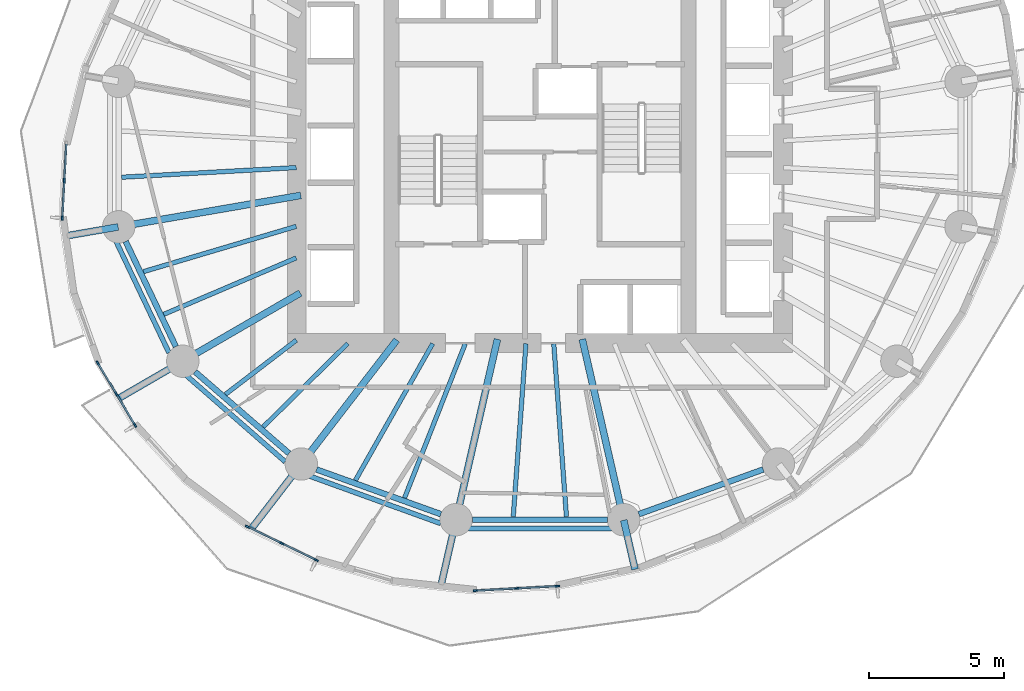
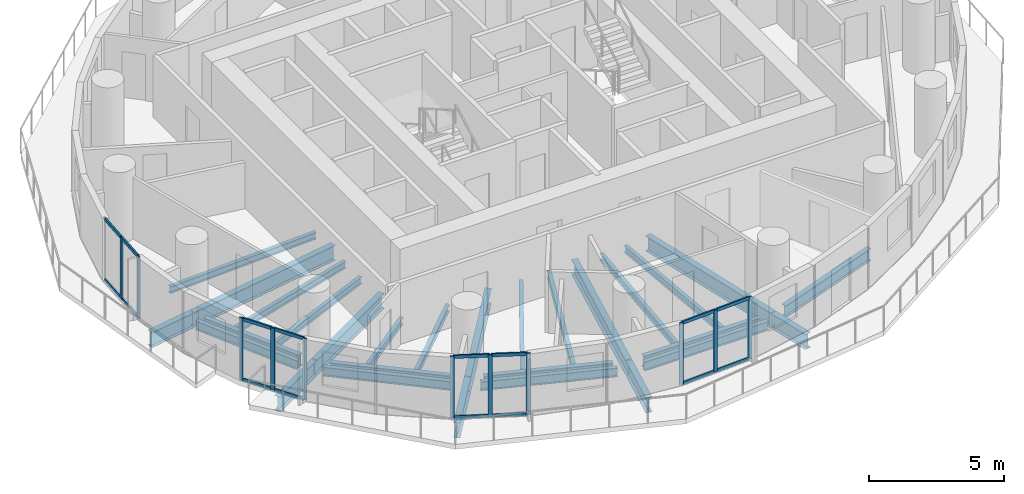
# One storey, part 2 of 15: 28 beams, 27 members, 4 elements without a shape of their own.
"""IFC4 building model written with IfcOpenShell, lengths in metres."""

from ifc_helpers import new_model, si_unit, direction, frame, origin, origin_2d, place, context, subcontext, project, spatial, rectangle, i_section, extrude, material, material_profile, profile_set, type_object, element, aggregate, save


model = new_model("IFC4")

# Units and contexts
model_context = context("Model", 3, precision=1e-05, world=origin(), true_north=direction((0.0, 1.0)))
body_context = subcontext(model_context, "Body", "Model", "MODEL_VIEW")
ifc_project = project(units=[si_unit("LENGTHUNIT", "METRE"), si_unit("AREAUNIT", "SQUARE_METRE"), si_unit("VOLUMEUNIT", "CUBIC_METRE"), si_unit("PLANEANGLEUNIT", "RADIAN"), si_unit("MASSUNIT", "GRAM", prefix="KILO")], contexts=[model_context])

# Site, building, storey
site_placement = place(None, origin())
site = spatial("IfcSite", under=ifc_project, at=site_placement, CompositionType="ELEMENT")
building_placement = place(site_placement, origin())
building = spatial("IfcBuilding", under=site, at=building_placement, Name="Veldorim Arch Residences", CompositionType="ELEMENT")
storey_placement = place(building_placement, frame((0.0, 0.0, 109.280029296875)))
storey = spatial("IfcBuildingStorey", under=building, at=storey_placement, Name="L32", CompositionType="ELEMENT", Elevation=109.280029296875)

# Beams
ifc_material_1 = material(Name="Steel S355", Category="steel")
ifc_material_profile_1 = material_profile(ifc_material_1, i_section(OverallWidth=0.2119140625, OverallDepth=0.54443359375, WebThickness=0.0126953125, FlangeThickness=0.021240234375, at=origin_2d()), Name="UB533x210x122")
ifc_profile_set_1 = profile_set([ifc_material_profile_1], Name="Steel S355")
beam_type_1 = type_object("IfcBeamType", Name="Structural Steel Beam UB533x210x122", PredefinedType="BEAM", material=ifc_profile_set_1)
beam_1_placement = place(storey_placement, frame((16.663818359375, 20.766357421875, -0.51220703125), z_axis=(0.430720154476, -0.902485539235, 0.0), x_axis=(0.902485539235, 0.430720154476, 0.0)))
element("IfcBeam", 1, at=beam_1_placement, inside=storey, type_object=beam_type_1, Name="L32 perimeter ring tie beam 09", PredefinedType="BEAM", context=body_context, shape_type="SweptSolid", body=[
    extrude(i_section(OverallWidth=0.2119140625, OverallDepth=0.54443359375, WebThickness=0.0126953125, FlangeThickness=0.021240234375, at=origin_2d()), origin(), (0.0, 0.0, 1.0), 4.312255859375),
])
beam_2_placement = place(storey_placement, frame((19.232666015625, 15.939697265625, -0.51220703125), z_axis=(0.755244952556, -0.655442645576, 0.0), x_axis=(0.655442645576, 0.755244952556, 0.0)))
element("IfcBeam", 2, at=beam_2_placement, inside=storey, type_object=beam_type_1, Name="L32 perimeter ring tie beam 10", PredefinedType="BEAM", context=body_context, shape_type="SweptSolid", body=[
    extrude(i_section(OverallWidth=0.2119140625, OverallDepth=0.54443359375, WebThickness=0.0126953125, FlangeThickness=0.021240234375, at=origin_2d()), origin(), (0.0, 0.0, 1.0), 4.608642578125),
])
beam_3_placement = place(storey_placement, frame((23.73095703125, 12.32275390625, -0.51220703125), z_axis=(0.941041944493, -0.338289903343, 0.0), x_axis=(0.338289903343, 0.941041944493, 0.0)))
element("IfcBeam", 3, at=beam_3_placement, inside=storey, type_object=beam_type_1, Name="L32 perimeter ring tie beam 11", PredefinedType="BEAM", context=body_context, shape_type="SweptSolid", body=[
    extrude(i_section(OverallWidth=0.2119140625, OverallDepth=0.54443359375, WebThickness=0.0126953125, FlangeThickness=0.021240234375, at=origin_2d()), origin(), (0.0, 0.0, 1.0), 4.890869140625),
])
beam_4_placement = place(storey_placement, frame((29.498046875, 10.465087890625, -0.51220703125), z_axis=(1.0, 0.0, 0.0), x_axis=(0.0, 1.0, 0.0)))
element("IfcBeam", 4, at=beam_4_placement, inside=storey, type_object=beam_type_1, Name="L32 perimeter ring tie beam 12", PredefinedType="BEAM", context=body_context, shape_type="SweptSolid", body=[
    extrude(i_section(OverallWidth=0.2119140625, OverallDepth=0.54443359375, WebThickness=0.0126953125, FlangeThickness=0.021240234375, at=origin_2d()), origin(), (0.0, 0.0, 1.0), 5.00390625),
])
beam_5_placement = place(storey_placement, frame((35.66650390625, 10.668212890625, -0.51220703125), z_axis=(0.941041944493, 0.338289903343, 0.0), x_axis=(-0.338289903343, 0.941041944493, 0.0)))
element("IfcBeam", 5, at=beam_5_placement, inside=storey, type_object=beam_type_1, Name="L32 perimeter ring tie beam 13", PredefinedType="BEAM", context=body_context, shape_type="SweptSolid", body=[
    extrude(i_section(OverallWidth=0.2119140625, OverallDepth=0.54443359375, WebThickness=0.0126953125, FlangeThickness=0.021240234375, at=origin_2d()), origin(), (0.0, 0.0, 1.0), 4.890869140625),
])
ifc_material_2 = material(Name="Steel S355", Category="steel")
ifc_material_profile_2 = material_profile(ifc_material_2, i_section(OverallWidth=0.25439453125, OverallDepth=0.6875, WebThickness=0.01318359375, FlangeThickness=0.02099609375, at=origin_2d()), Name="UB686x254x152")
ifc_profile_set_2 = profile_set([ifc_material_profile_2], Name="Steel S355")
beam_type_2 = type_object("IfcBeamType", Name="Structural Steel GIRDER UB686x254x152", PredefinedType="USERDEFINED", material=ifc_profile_set_2)
beam_6_placement = place(storey_placement, frame((23.147705078125, 22.4716796875, -0.583740234375), z_axis=(-0.985426622718, -0.17010106184, 0.0), x_axis=(0.17010106184, -0.985426622718, 0.0)))
element("IfcBeam", 6, at=beam_6_placement, inside=storey, type_object=beam_type_2, Name="L32 radial floor girder 09", ObjectType="GIRDER", PredefinedType="USERDEFINED", context=body_context, shape_type="SweptSolid", body=[
    extrude(i_section(OverallWidth=0.25439453125, OverallDepth=0.6875, WebThickness=0.01318359375, FlangeThickness=0.02099609375, at=origin_2d()), origin(), (0.0, 0.0, 1.0), 6.82177734375),
])
beam_7_placement = place(storey_placement, frame((16.3857421875, 21.304443359375, -0.583740234375), z_axis=(-0.985416355925, -0.170160528549, 0.0), x_axis=(0.170160528549, -0.985416355925, 0.0)))
element("IfcBeam", 7, at=beam_7_placement, inside=storey, type_object=beam_type_2, Name="L32 radial edge cantilever girder 09", ObjectType="GIRDER", PredefinedType="USERDEFINED", context=body_context, shape_type="SweptSolid", body=[
    extrude(i_section(OverallWidth=0.25439453125, OverallDepth=0.6875, WebThickness=0.01318359375, FlangeThickness=0.02099609375, at=origin_2d()), origin(), (0.0, 0.0, 1.0), 1.99853515625),
])
beam_8_placement = place(storey_placement, frame((23.1298828125, 18.85595703125, -0.583740234375), z_axis=(-0.865048957682, -0.501687453314, 0.0), x_axis=(0.501687453314, -0.865048957682, 0.0)))
element("IfcBeam", 8, at=beam_8_placement, inside=storey, type_object=beam_type_2, Name="L32 radial floor girder 10", ObjectType="GIRDER", PredefinedType="USERDEFINED", context=body_context, shape_type="SweptSolid", body=[
    extrude(i_section(OverallWidth=0.25439453125, OverallDepth=0.6875, WebThickness=0.01318359375, FlangeThickness=0.02099609375, at=origin_2d()), origin(), (0.0, 0.0, 1.0), 5.009033203125),
])
beam_9_placement = place(storey_placement, frame((18.76220703125, 16.322998046875, -0.583740234375), z_axis=(-0.865067975698, -0.501654659523, 0.0), x_axis=(0.501654659523, -0.865067975698, 0.0)))
element("IfcBeam", 9, at=beam_9_placement, inside=storey, type_object=beam_type_2, Name="L32 radial edge cantilever girder 10", ObjectType="GIRDER", PredefinedType="USERDEFINED", context=body_context, shape_type="SweptSolid", body=[
    extrude(i_section(OverallWidth=0.25439453125, OverallDepth=0.6875, WebThickness=0.01318359375, FlangeThickness=0.02099609375, at=origin_2d()), origin(), (0.0, 0.0, 1.0), 2.707275390625),
])
beam_10_placement = place(storey_placement, frame((26.702392578125, 17.118896484375, -0.583740234375), z_axis=(-0.609994628196, -0.792405548676, 0.0), x_axis=(0.792405548676, -0.609994628196, 0.0)))
element("IfcBeam", 10, at=beam_10_placement, inside=storey, type_object=beam_type_2, Name="L32 radial floor girder 11", ObjectType="GIRDER", PredefinedType="USERDEFINED", context=body_context, shape_type="SweptSolid", body=[
    extrude(i_section(OverallWidth=0.25439453125, OverallDepth=0.6875, WebThickness=0.01318359375, FlangeThickness=0.02099609375, at=origin_2d()), origin(), (0.0, 0.0, 1.0), 5.776611328125),
])
beam_11_placement = place(storey_placement, frame((23.154296875, 12.510009765625, -0.583740234375), z_axis=(-0.610006503027, -0.792396407277, 0.0), x_axis=(0.792396407277, -0.610006503027, 0.0)))
element("IfcBeam", 11, at=beam_11_placement, inside=storey, type_object=beam_type_2, Name="L32 radial edge cantilever girder 11", ObjectType="GIRDER", PredefinedType="USERDEFINED", context=body_context, shape_type="SweptSolid", body=[
    extrude(i_section(OverallWidth=0.25439453125, OverallDepth=0.6875, WebThickness=0.01318359375, FlangeThickness=0.02099609375, at=origin_2d()), origin(), (0.0, 0.0, 1.0), 2.99169921875),
])
beam_12_placement = place(storey_placement, frame((30.42919921875, 17.146240234375, -0.583740234375), z_axis=(-0.223374742148, -0.97473264261, 0.0), x_axis=(0.97473264261, -0.223374742148, 0.0)))
element("IfcBeam", 12, at=beam_12_placement, inside=storey, type_object=beam_type_2, Name="L32 radial floor girder 12", ObjectType="GIRDER", PredefinedType="USERDEFINED", context=body_context, shape_type="SweptSolid", body=[
    extrude(i_section(OverallWidth=0.25439453125, OverallDepth=0.6875, WebThickness=0.01318359375, FlangeThickness=0.02099609375, at=origin_2d()), origin(), (0.0, 0.0, 1.0), 6.834228515625),
])
beam_13_placement = place(storey_placement, frame((28.8935546875, 10.44580078125, -0.583740234375), z_axis=(-0.223351330049, -0.974738007552, 0.0), x_axis=(0.974738007552, -0.223351330049, 0.0)))
element("IfcBeam", 13, at=beam_13_placement, inside=storey, type_object=beam_type_2, Name="L32 radial edge cantilever girder 12", ObjectType="GIRDER", PredefinedType="USERDEFINED", context=body_context, shape_type="SweptSolid", body=[
    extrude(i_section(OverallWidth=0.25439453125, OverallDepth=0.6875, WebThickness=0.01318359375, FlangeThickness=0.02099609375, at=origin_2d()), origin(), (0.0, 0.0, 1.0), 2.530517578125),
])
beam_14_placement = place(storey_placement, frame((33.57080078125, 17.146240234375, -0.583740234375), z_axis=(0.223374742148, -0.97473264261, 0.0), x_axis=(0.97473264261, 0.223374742148, 0.0)))
element("IfcBeam", 14, at=beam_14_placement, inside=storey, type_object=beam_type_2, Name="L32 radial floor girder 13", ObjectType="GIRDER", PredefinedType="USERDEFINED", context=body_context, shape_type="SweptSolid", body=[
    extrude(i_section(OverallWidth=0.25439453125, OverallDepth=0.6875, WebThickness=0.01318359375, FlangeThickness=0.02099609375, at=origin_2d()), origin(), (0.0, 0.0, 1.0), 6.834228515625),
])
beam_15_placement = place(storey_placement, frame((35.1064453125, 10.44580078125, -0.583740234375), z_axis=(0.22332180692, -0.974744772007, 0.0), x_axis=(0.974744772007, 0.22332180692, 0.0)))
element("IfcBeam", 15, at=beam_15_placement, inside=storey, type_object=beam_type_2, Name="L32 radial edge cantilever girder 13", ObjectType="GIRDER", PredefinedType="USERDEFINED", context=body_context, shape_type="SweptSolid", body=[
    extrude(i_section(OverallWidth=0.25439453125, OverallDepth=0.6875, WebThickness=0.01318359375, FlangeThickness=0.02099609375, at=origin_2d()), origin(), (0.0, 0.0, 1.0), 1.8671875),
])
ifc_material_3 = material(Name="Steel S355", Category="steel")
ifc_material_profile_3 = material_profile(ifc_material_3, i_section(OverallWidth=0.165771484375, OverallDepth=0.306640625, WebThickness=0.006591796875, FlangeThickness=0.01171875, at=origin_2d()), Name="UB305x165x46")
ifc_profile_set_3 = profile_set([ifc_material_profile_3], Name="Steel S355")
beam_type_3 = type_object("IfcBeamType", Name="Structural Steel Joist UB305x165x46", PredefinedType="JOIST", material=ifc_profile_set_3)
beam_16_placement = place(storey_placement, frame((22.97998046875, 23.501708984375, -0.393310546875), z_axis=(-0.99847713097, -0.055167190702, 0.0), x_axis=(0.055167190702, -0.99847713097, 0.0)))
element("IfcBeam", 16, at=beam_16_placement, inside=storey, type_object=beam_type_3, Name="L32 secondary radial floor joist 08-2", PredefinedType="JOIST", context=body_context, shape_type="SweptSolid", body=[
    extrude(i_section(OverallWidth=0.165771484375, OverallDepth=0.306640625, WebThickness=0.006591796875, FlangeThickness=0.01171875, at=origin_2d()), origin(), (0.0, 0.0, 1.0), 6.474365234375),
])
beam_17_placement = place(storey_placement, frame((22.980712890625, 21.326416015625, -0.393310546875), z_axis=(-0.958753061488, -0.284240333324, 0.0), x_axis=(0.284240333324, -0.958753061488, 0.0)))
element("IfcBeam", 17, at=beam_17_placement, inside=storey, type_object=beam_type_3, Name="L32 secondary radial floor joist 09-1", PredefinedType="JOIST", context=body_context, shape_type="SweptSolid", body=[
    extrude(i_section(OverallWidth=0.165771484375, OverallDepth=0.306640625, WebThickness=0.006591796875, FlangeThickness=0.01171875, at=origin_2d()), origin(), (0.0, 0.0, 1.0), 5.906005859375),
])
beam_18_placement = place(storey_placement, frame((22.981689453125, 20.158447265625, -0.393310546875), z_axis=(-0.919997395122, -0.391924473552, 0.0), x_axis=(0.391924473552, -0.919997395122, 0.0)))
element("IfcBeam", 18, at=beam_18_placement, inside=storey, type_object=beam_type_3, Name="L32 secondary radial floor joist 09-2", PredefinedType="JOIST", context=body_context, shape_type="SweptSolid", body=[
    extrude(i_section(OverallWidth=0.165771484375, OverallDepth=0.306640625, WebThickness=0.006591796875, FlangeThickness=0.01171875, at=origin_2d()), origin(), (0.0, 0.0, 1.0), 5.334716796875),
])
beam_19_placement = place(storey_placement, frame((22.984130859375, 17.111572265625, -0.393310546875), z_axis=(-0.794594763594, -0.60714014994, 0.0), x_axis=(0.60714014994, -0.794594763594, 0.0)))
element("IfcBeam", 19, at=beam_19_placement, inside=storey, type_object=beam_type_3, Name="L32 secondary radial floor joist 10-1", PredefinedType="JOIST", context=body_context, shape_type="SweptSolid", body=[
    extrude(i_section(OverallWidth=0.165771484375, OverallDepth=0.306640625, WebThickness=0.006591796875, FlangeThickness=0.01171875, at=origin_2d()), origin(), (0.0, 0.0, 1.0), 3.30419921875),
])
beam_20_placement = place(storey_placement, frame((24.885986328125, 16.986083984375, -0.393310546875), z_axis=(-0.712111629941, -0.702066255066, 0.0), x_axis=(0.702066255066, -0.712111629941, 0.0)))
element("IfcBeam", 20, at=beam_20_placement, inside=storey, type_object=beam_type_3, Name="L32 secondary radial floor joist 10-2", PredefinedType="JOIST", context=body_context, shape_type="SweptSolid", body=[
    extrude(i_section(OverallWidth=0.165771484375, OverallDepth=0.306640625, WebThickness=0.006591796875, FlangeThickness=0.01171875, at=origin_2d()), origin(), (0.0, 0.0, 1.0), 4.39892578125),
])
beam_21_placement = place(storey_placement, frame((28.03173828125, 16.982666015625, -0.393310546875), z_axis=(-0.492227411199, -0.870466642476, 0.0), x_axis=(0.870466642476, -0.492227411199, 0.0)))
element("IfcBeam", 21, at=beam_21_placement, inside=storey, type_object=beam_type_3, Name="L32 secondary radial floor joist 11-1", PredefinedType="JOIST", context=body_context, shape_type="SweptSolid", body=[
    extrude(i_section(OverallWidth=0.165771484375, OverallDepth=0.306640625, WebThickness=0.006591796875, FlangeThickness=0.01171875, at=origin_2d()), origin(), (0.0, 0.0, 1.0), 5.81494140625),
])
beam_22_placement = place(storey_placement, frame((29.238037109375, 16.9814453125, -0.393310546875), z_axis=(-0.366194870364, -0.930538186707, 0.0), x_axis=(0.930538186707, -0.366194870364, 0.0)))
element("IfcBeam", 22, at=beam_22_placement, inside=storey, type_object=beam_type_3, Name="L32 secondary radial floor joist 11-2", PredefinedType="JOIST", context=body_context, shape_type="SweptSolid", body=[
    extrude(i_section(OverallWidth=0.165771484375, OverallDepth=0.306640625, WebThickness=0.006591796875, FlangeThickness=0.01171875, at=origin_2d()), origin(), (0.0, 0.0, 1.0), 6.1396484375),
])
for number, where, z_axis, x_axis, name in (
    (23, (31.485107421875, 16.97998046875, -0.393310546875), (-0.073143494169, -0.997321427254, 0.0), (0.997321427254, -0.073143494169, 0.0), "L32 secondary radial floor joist 12-1"),
    (24, (32.514892578125, 16.97998046875, -0.393310546875), (0.073143494169, -0.997321427254, 0.0), (0.997321427254, 0.073143494169, 0.0), "L32 secondary radial floor joist 12-2"),
):
    element("IfcBeam", number, at=place(storey_placement, frame(where, z_axis=z_axis, x_axis=x_axis)), inside=storey, type_object=beam_type_3, Name=name, PredefinedType="JOIST", context=body_context, shape_type="SweptSolid", body=[
        extrude(i_section(OverallWidth=0.165771484375, OverallDepth=0.306640625, WebThickness=0.006591796875, FlangeThickness=0.01171875, at=origin_2d()), origin(), (0.0, 0.0, 1.0), 6.421875),
    ])
ifc_material_4 = material(Name="Steel S355", Category="steel")
ifc_material_profile_4 = material_profile(ifc_material_4, i_section(OverallWidth=0.1787109375, OverallDepth=0.409423828125, WebThickness=0.0087890625, FlangeThickness=0.014404296875, at=origin_2d()), Name="UB406x178x67")
ifc_profile_set_4 = profile_set([ifc_material_profile_4], Name="Steel S355")
beam_type_4 = type_object("IfcBeamType", Name="Structural Steel Spandrel UB406x178x67", PredefinedType="SPANDREL", material=ifc_profile_set_4)
beam_23_placement = place(storey_placement, frame((16.306884765625, 20.774658203125, -0.46484375), z_axis=(0.428857472204, -0.903372165021, 0.0), x_axis=(0.903372165021, 0.428857472204, 0.0)))
element("IfcBeam", 25, at=beam_23_placement, inside=storey, type_object=beam_type_4, Name="L32 perimeter chord spandrel beam 09", PredefinedType="SPANDREL", context=body_context, shape_type="SweptSolid", body=[
    extrude(i_section(OverallWidth=0.1787109375, OverallDepth=0.409423828125, WebThickness=0.0087890625, FlangeThickness=0.014404296875, at=origin_2d()), origin(), (0.0, 0.0, 1.0), 4.572021484375),
])
beam_24_placement = place(storey_placement, frame((18.891845703125, 15.8203125, -0.46484375), z_axis=(0.753323239074, -0.65765043714, 0.0), x_axis=(0.65765043714, 0.753323239074, 0.0)))
element("IfcBeam", 26, at=beam_24_placement, inside=storey, type_object=beam_type_4, Name="L32 perimeter chord spandrel beam 10", PredefinedType="SPANDREL", context=body_context, shape_type="SweptSolid", body=[
    extrude(i_section(OverallWidth=0.1787109375, OverallDepth=0.409423828125, WebThickness=0.0087890625, FlangeThickness=0.014404296875, at=origin_2d()), origin(), (0.0, 0.0, 1.0), 4.879150390625),
])
beam_25_placement = place(storey_placement, frame((23.461669921875, 12.08447265625, -0.46484375), z_axis=(0.940307501418, -0.340326024244, 0.0), x_axis=(0.340326024244, 0.940307501418, 0.0)))
element("IfcBeam", 27, at=beam_25_placement, inside=storey, type_object=beam_type_4, Name="L32 perimeter chord spandrel beam 11", PredefinedType="SPANDREL", context=body_context, shape_type="SweptSolid", body=[
    extrude(i_section(OverallWidth=0.1787109375, OverallDepth=0.409423828125, WebThickness=0.0087890625, FlangeThickness=0.014404296875, at=origin_2d()), origin(), (0.0, 0.0, 1.0), 5.175048828125),
])
beam_26_placement = place(storey_placement, frame((29.352294921875, 10.1435546875, -0.46484375), z_axis=(1.0, 0.0, 0.0), x_axis=(0.0, 1.0, 0.0)))
element("IfcBeam", 28, at=beam_26_placement, inside=storey, type_object=beam_type_4, Name="L32 perimeter chord spandrel beam 12", PredefinedType="SPANDREL", context=body_context, shape_type="SweptSolid", body=[
    extrude(i_section(OverallWidth=0.1787109375, OverallDepth=0.409423828125, WebThickness=0.0087890625, FlangeThickness=0.014404296875, at=origin_2d()), origin(), (0.0, 0.0, 1.0), 5.29541015625),
])

# Curtain wall, members
ifc_material_5 = material(Name="Aluminium", Category="aluminium")
curtain_wall_type = type_object("IfcCurtainWallType", Name="Zone 2 Solar-Control Unitised Curtain Wall", PredefinedType="NOTDEFINED", material=ifc_material_5)
curtain_wall_1_placement = place(storey_placement, origin())
curtain_wall_1 = element("IfcCurtainWall", 29, at=curtain_wall_1_placement, inside=storey, type_object=curtain_wall_type, Name="L32 unitised curtain wall bay 16", PredefinedType="NOTDEFINED")
ifc_material_6 = material(Name="Aluminium", Category="aluminium")
ifc_material_profile_5 = material_profile(ifc_material_6, rectangle(XDim=0.06494140625, YDim=0.1650390625, at=origin_2d()), Name="ALU_MUL_65x165")
ifc_profile_set_5 = profile_set([ifc_material_profile_5], Name="Aluminium")
member_type_1 = type_object("IfcMemberType", Name="Zone 2 Solar-Control Unitised Curtain Wall Mullion 65x165", PredefinedType="MULLION", material=ifc_profile_set_5)
member_1_placement = place(storey_placement, frame((14.31591796875, 21.635498046875, 0.0), z_axis=(0.0, 0.0, 1.0), x_axis=(-0.998590099536, 0.053083077429, 0.0)))
member_1 = element("IfcMember", 30, at=member_1_placement, type_object=member_type_1, Name="CW-Z2 mullion 1", PredefinedType="MULLION", context=body_context, shape_type="SweptSolid", body=[
    extrude(rectangle(XDim=0.06494140625, YDim=0.1650390625, at=origin_2d()), origin(), (0.0, 0.0, 1.0), 2.800048828125),
])
member_2_placement = place(storey_placement, frame((14.389404296875, 23.017578125, 0.0), z_axis=(0.0, 0.0, 1.0), x_axis=(-0.998590099536, 0.053083077429, 0.0)))
member_2 = element("IfcMember", 31, at=member_2_placement, type_object=member_type_1, Name="CW-Z2 mullion 2", PredefinedType="MULLION", context=body_context, shape_type="SweptSolid", body=[
    extrude(rectangle(XDim=0.06494140625, YDim=0.1650390625, at=origin_2d()), origin(), (0.0, 0.0, 1.0), 2.800048828125),
])

curtain_wall_2_placement = place(storey_placement, origin())
curtain_wall_2 = element("IfcCurtainWall", 32, at=curtain_wall_2_placement, inside=storey, type_object=curtain_wall_type, Name="L32 unitised curtain wall bay 19", PredefinedType="NOTDEFINED")
member_3_placement = place(storey_placement, frame((17.010986328125, 13.960205078125, 0.0), z_axis=(0.0, 0.0, 1.0), x_axis=(-0.85756971039, -0.514367759315, 0.0)))
member_3 = element("IfcMember", 33, at=member_3_placement, type_object=member_type_1, Name="CW-Z2 mullion 1", PredefinedType="MULLION", context=body_context, shape_type="SweptSolid", body=[
    extrude(rectangle(XDim=0.06494140625, YDim=0.1650390625, at=origin_2d()), origin(), (0.0, 0.0, 1.0), 2.800048828125),
])
member_4_placement = place(storey_placement, frame((16.318603515625, 15.11474609375, 0.0), z_axis=(0.0, 0.0, 1.0), x_axis=(-0.85756971039, -0.514367759315, 0.0)))
member_4 = element("IfcMember", 34, at=member_4_placement, type_object=member_type_1, Name="CW-Z2 mullion 2", PredefinedType="MULLION", context=body_context, shape_type="SweptSolid", body=[
    extrude(rectangle(XDim=0.06494140625, YDim=0.1650390625, at=origin_2d()), origin(), (0.0, 0.0, 1.0), 2.800048828125),
])
member_5_placement = place(storey_placement, frame((15.6259765625, 16.269287109375, 0.0), z_axis=(0.0, 0.0, 1.0), x_axis=(-0.85756971039, -0.514367759315, 0.0)))
member_5 = element("IfcMember", 35, at=member_5_placement, type_object=member_type_1, Name="CW-Z2 mullion 3", PredefinedType="MULLION", context=body_context, shape_type="SweptSolid", body=[
    extrude(rectangle(XDim=0.06494140625, YDim=0.1650390625, at=origin_2d()), origin(), (0.0, 0.0, 1.0), 2.800048828125),
])

curtain_wall_3_placement = place(storey_placement, origin())
curtain_wall_3 = element("IfcCurtainWall", 36, at=curtain_wall_3_placement, inside=storey, type_object=curtain_wall_type, Name="L32 unitised curtain wall bay 22", PredefinedType="NOTDEFINED")
member_6_placement = place(storey_placement, frame((23.71923828125, 8.969482421875, 0.0), z_axis=(0.0, 0.0, 1.0), x_axis=(-0.436999671959, -0.899461664946, 0.0)))
member_6 = element("IfcMember", 37, at=member_6_placement, type_object=member_type_1, Name="CW-Z2 mullion 1", PredefinedType="MULLION", context=body_context, shape_type="SweptSolid", body=[
    extrude(rectangle(XDim=0.06494140625, YDim=0.1650390625, at=origin_2d()), origin(), (0.0, 0.0, 1.0), 2.800048828125),
])
member_7_placement = place(storey_placement, frame((22.44482421875, 9.588623046875, 0.0), z_axis=(0.0, 0.0, 1.0), x_axis=(-0.436999671959, -0.899461664946, 0.0)))
member_7 = element("IfcMember", 38, at=member_7_placement, type_object=member_type_1, Name="CW-Z2 mullion 2", PredefinedType="MULLION", context=body_context, shape_type="SweptSolid", body=[
    extrude(rectangle(XDim=0.06494140625, YDim=0.1650390625, at=origin_2d()), origin(), (0.0, 0.0, 1.0), 2.800048828125),
])
member_8_placement = place(storey_placement, frame((21.170654296875, 10.207763671875, 0.0), z_axis=(0.0, 0.0, 1.0), x_axis=(-0.436999671959, -0.899461664946, 0.0)))
member_8 = element("IfcMember", 39, at=member_8_placement, type_object=member_type_1, Name="CW-Z2 mullion 3", PredefinedType="MULLION", context=body_context, shape_type="SweptSolid", body=[
    extrude(rectangle(XDim=0.06494140625, YDim=0.1650390625, at=origin_2d()), origin(), (0.0, 0.0, 1.0), 2.800048828125),
])

curtain_wall_4_placement = place(storey_placement, origin())
curtain_wall_4 = element("IfcCurtainWall", 40, at=curtain_wall_4_placement, inside=storey, type_object=curtain_wall_type, Name="L32 unitised curtain wall bay 25", PredefinedType="NOTDEFINED")
member_9_placement = place(storey_placement, frame((32.65185546875, 8.003662109375, 0.0), z_axis=(0.0, 0.0, 1.0), x_axis=(0.055127201045, -0.998479339649, 0.0)))
member_9 = element("IfcMember", 41, at=member_9_placement, type_object=member_type_1, Name="CW-Z2 mullion 1", PredefinedType="MULLION", context=body_context, shape_type="SweptSolid", body=[
    extrude(rectangle(XDim=0.06494140625, YDim=0.1650390625, at=origin_2d()), origin(), (0.0, 0.0, 1.0), 2.800048828125),
])
member_10_placement = place(storey_placement, frame((31.1357421875, 7.919921875, 0.0), z_axis=(0.0, 0.0, 1.0), x_axis=(0.055127201045, -0.998479339649, 0.0)))
member_10 = element("IfcMember", 42, at=member_10_placement, type_object=member_type_1, Name="CW-Z2 mullion 2", PredefinedType="MULLION", context=body_context, shape_type="SweptSolid", body=[
    extrude(rectangle(XDim=0.06494140625, YDim=0.1650390625, at=origin_2d()), origin(), (0.0, 0.0, 1.0), 2.800048828125),
])
member_11_placement = place(storey_placement, frame((29.61962890625, 7.836181640625, 0.0), z_axis=(0.0, 0.0, 1.0), x_axis=(0.055127201045, -0.998479339649, 0.0)))
member_11 = element("IfcMember", 43, at=member_11_placement, type_object=member_type_1, Name="CW-Z2 mullion 3", PredefinedType="MULLION", context=body_context, shape_type="SweptSolid", body=[
    extrude(rectangle(XDim=0.06494140625, YDim=0.1650390625, at=origin_2d()), origin(), (0.0, 0.0, 1.0), 2.800048828125),
])

# Member
ifc_material_7 = material(Name="Aluminium", Category="aluminium")
ifc_material_profile_6 = material_profile(ifc_material_7, rectangle(XDim=0.06494140625, YDim=0.14501953125, at=origin_2d()), Name="ALU_TRN_65x145")
ifc_profile_set_6 = profile_set([ifc_material_profile_6], Name="Aluminium")
member_type_2 = type_object("IfcMemberType", Name="Zone 2 Solar-Control Unitised Curtain Wall Transom 65x145", PredefinedType="USERDEFINED", material=ifc_profile_set_6)
member_12_placement = place(storey_placement, frame((14.31787109375, 21.66796875, 0.032470703125), z_axis=(0.052937715551, 0.998597816076, 0.0), x_axis=(-0.998597816076, 0.052937715551, 0.0)))
member_12 = element("IfcMember", 44, at=member_12_placement, type_object=member_type_2, Name="CW-Z2 transom 1.1", ObjectType="TRANSOM", PredefinedType="USERDEFINED", context=body_context, shape_type="SweptSolid", body=[
    extrude(rectangle(XDim=0.06494140625, YDim=0.14501953125, at=origin_2d()), origin(), (0.0, 0.0, 1.0), 1.319091796875),
])

member_13_placement = place(storey_placement, frame((14.31787109375, 21.66796875, 2.767578125), z_axis=(0.052937715551, 0.998597816076, 0.0), x_axis=(-0.998597816076, 0.052937715551, 0.0)))
member_13 = element("IfcMember", 45, at=member_13_placement, type_object=member_type_2, Name="CW-Z2 transom 1.2", ObjectType="TRANSOM", PredefinedType="USERDEFINED", context=body_context, shape_type="SweptSolid", body=[
    extrude(rectangle(XDim=0.06494140625, YDim=0.14501953125, at=origin_2d()), origin(), (0.0, 0.0, 1.0), 1.319091796875),
])

member_14_placement = place(storey_placement, frame((14.39111328125, 23.050048828125, 0.032470703125), z_axis=(0.053112474047, 0.998588536436, 0.0), x_axis=(-0.998588536436, 0.053112474047, 0.0)))
member_14 = element("IfcMember", 46, at=member_14_placement, type_object=member_type_2, Name="CW-Z2 transom 2.1", ObjectType="TRANSOM", PredefinedType="USERDEFINED", context=body_context, shape_type="SweptSolid", body=[
    extrude(rectangle(XDim=0.06494140625, YDim=0.14501953125, at=origin_2d()), origin(), (0.0, 0.0, 1.0), 1.3193359375),
])

member_15_placement = place(storey_placement, frame((14.39111328125, 23.050048828125, 2.767578125), z_axis=(0.053112474047, 0.998588536436, 0.0), x_axis=(-0.998588536436, 0.053112474047, 0.0)))
member_15 = element("IfcMember", 47, at=member_15_placement, type_object=member_type_2, Name="CW-Z2 transom 2.2", ObjectType="TRANSOM", PredefinedType="USERDEFINED", context=body_context, shape_type="SweptSolid", body=[
    extrude(rectangle(XDim=0.06494140625, YDim=0.14501953125, at=origin_2d()), origin(), (0.0, 0.0, 1.0), 1.3193359375),
])

aggregate(curtain_wall_1, [member_1, member_2, member_12, member_13, member_14, member_15])

member_16_placement = place(storey_placement, frame((16.994384765625, 13.988037109375, 0.032470703125), z_axis=(-0.514411698757, 0.857543354112, 0.0), x_axis=(-0.857543354112, -0.514411698757, 0.0)))
member_16 = element("IfcMember", 48, at=member_16_placement, type_object=member_type_2, Name="CW-Z2 transom 1.1", ObjectType="TRANSOM", PredefinedType="USERDEFINED", context=body_context, shape_type="SweptSolid", body=[
    extrude(rectangle(XDim=0.06494140625, YDim=0.14501953125, at=origin_2d()), origin(), (0.0, 0.0, 1.0), 1.281494140625),
])

member_17_placement = place(storey_placement, frame((16.994384765625, 13.988037109375, 2.767578125), z_axis=(-0.514411698757, 0.857543354112, 0.0), x_axis=(-0.857543354112, -0.514411698757, 0.0)))
member_17 = element("IfcMember", 49, at=member_17_placement, type_object=member_type_2, Name="CW-Z2 transom 1.2", ObjectType="TRANSOM", PredefinedType="USERDEFINED", context=body_context, shape_type="SweptSolid", body=[
    extrude(rectangle(XDim=0.06494140625, YDim=0.14501953125, at=origin_2d()), origin(), (0.0, 0.0, 1.0), 1.281494140625),
])

member_18_placement = place(storey_placement, frame((16.3017578125, 15.142578125, 0.032470703125), z_axis=(-0.514271571349, 0.85762739631, 0.0), x_axis=(-0.85762739631, -0.514271571349, 0.0)))
member_18 = element("IfcMember", 50, at=member_18_placement, type_object=member_type_2, Name="CW-Z2 transom 2.1", ObjectType="TRANSOM", PredefinedType="USERDEFINED", context=body_context, shape_type="SweptSolid", body=[
    extrude(rectangle(XDim=0.06494140625, YDim=0.14501953125, at=origin_2d()), origin(), (0.0, 0.0, 1.0), 1.28125),
])

member_19_placement = place(storey_placement, frame((16.3017578125, 15.142578125, 2.767578125), z_axis=(-0.514271571349, 0.85762739631, 0.0), x_axis=(-0.85762739631, -0.514271571349, 0.0)))
member_19 = element("IfcMember", 51, at=member_19_placement, type_object=member_type_2, Name="CW-Z2 transom 2.2", ObjectType="TRANSOM", PredefinedType="USERDEFINED", context=body_context, shape_type="SweptSolid", body=[
    extrude(rectangle(XDim=0.06494140625, YDim=0.14501953125, at=origin_2d()), origin(), (0.0, 0.0, 1.0), 1.28125),
])

aggregate(curtain_wall_2, [member_3, member_4, member_5, member_16, member_17, member_18, member_19])

member_20_placement = place(storey_placement, frame((23.68994140625, 8.983642578125, 0.032470703125), z_axis=(-0.899427024625, 0.437070963774, 0.0), x_axis=(-0.437070963774, -0.899427024625, 0.0)))
member_20 = element("IfcMember", 52, at=member_20_placement, type_object=member_type_2, Name="CW-Z2 transom 1.1", ObjectType="TRANSOM", PredefinedType="USERDEFINED", context=body_context, shape_type="SweptSolid", body=[
    extrude(rectangle(XDim=0.06494140625, YDim=0.14501953125, at=origin_2d()), origin(), (0.0, 0.0, 1.0), 1.351806640625),
])

member_21_placement = place(storey_placement, frame((23.68994140625, 8.983642578125, 2.767578125), z_axis=(-0.899427024625, 0.437070963774, 0.0), x_axis=(-0.437070963774, -0.899427024625, 0.0)))
member_21 = element("IfcMember", 53, at=member_21_placement, type_object=member_type_2, Name="CW-Z2 transom 1.2", ObjectType="TRANSOM", PredefinedType="USERDEFINED", context=body_context, shape_type="SweptSolid", body=[
    extrude(rectangle(XDim=0.06494140625, YDim=0.14501953125, at=origin_2d()), origin(), (0.0, 0.0, 1.0), 1.351806640625),
])

member_22_placement = place(storey_placement, frame((22.415771484375, 9.602783203125, 0.032470703125), z_axis=(-0.899427024625, 0.437070963774, 0.0), x_axis=(-0.437070963774, -0.899427024625, 0.0)))
member_22 = element("IfcMember", 54, at=member_22_placement, type_object=member_type_2, Name="CW-Z2 transom 2.1", ObjectType="TRANSOM", PredefinedType="USERDEFINED", context=body_context, shape_type="SweptSolid", body=[
    extrude(rectangle(XDim=0.06494140625, YDim=0.14501953125, at=origin_2d()), origin(), (0.0, 0.0, 1.0), 1.351806640625),
])

member_23_placement = place(storey_placement, frame((22.415771484375, 9.602783203125, 2.767578125), z_axis=(-0.899427024625, 0.437070963774, 0.0), x_axis=(-0.437070963774, -0.899427024625, 0.0)))
member_23 = element("IfcMember", 55, at=member_23_placement, type_object=member_type_2, Name="CW-Z2 transom 2.2", ObjectType="TRANSOM", PredefinedType="USERDEFINED", context=body_context, shape_type="SweptSolid", body=[
    extrude(rectangle(XDim=0.06494140625, YDim=0.14501953125, at=origin_2d()), origin(), (0.0, 0.0, 1.0), 1.351806640625),
])

aggregate(curtain_wall_3, [member_6, member_7, member_8, member_20, member_21, member_22, member_23])

member_24_placement = place(storey_placement, frame((32.619384765625, 8.001708984375, 0.032470703125), z_axis=(-0.998480958477, -0.05509787254, 0.0), x_axis=(0.05509787254, -0.998480958477, 0.0)))
member_24 = element("IfcMember", 56, at=member_24_placement, type_object=member_type_2, Name="CW-Z2 transom 1.1", ObjectType="TRANSOM", PredefinedType="USERDEFINED", context=body_context, shape_type="SweptSolid", body=[
    extrude(rectangle(XDim=0.06494140625, YDim=0.14501953125, at=origin_2d()), origin(), (0.0, 0.0, 1.0), 1.453369140625),
])

member_25_placement = place(storey_placement, frame((32.619384765625, 8.001708984375, 2.767578125), z_axis=(-0.998480958477, -0.05509787254, 0.0), x_axis=(0.05509787254, -0.998480958477, 0.0)))
member_25 = element("IfcMember", 57, at=member_25_placement, type_object=member_type_2, Name="CW-Z2 transom 1.2", ObjectType="TRANSOM", PredefinedType="USERDEFINED", context=body_context, shape_type="SweptSolid", body=[
    extrude(rectangle(XDim=0.06494140625, YDim=0.14501953125, at=origin_2d()), origin(), (0.0, 0.0, 1.0), 1.453369140625),
])

member_26_placement = place(storey_placement, frame((31.103271484375, 7.918212890625, 0.032470703125), z_axis=(-0.998471703165, -0.055265341578, 0.0), x_axis=(0.055265341578, -0.998471703165, 0.0)))
member_26 = element("IfcMember", 58, at=member_26_placement, type_object=member_type_2, Name="CW-Z2 transom 2.1", ObjectType="TRANSOM", PredefinedType="USERDEFINED", context=body_context, shape_type="SweptSolid", body=[
    extrude(rectangle(XDim=0.06494140625, YDim=0.14501953125, at=origin_2d()), origin(), (0.0, 0.0, 1.0), 1.453369140625),
])

member_27_placement = place(storey_placement, frame((31.103271484375, 7.918212890625, 2.767578125), z_axis=(-0.998471703165, -0.055265341578, 0.0), x_axis=(0.055265341578, -0.998471703165, 0.0)))
member_27 = element("IfcMember", 59, at=member_27_placement, type_object=member_type_2, Name="CW-Z2 transom 2.2", ObjectType="TRANSOM", PredefinedType="USERDEFINED", context=body_context, shape_type="SweptSolid", body=[
    extrude(rectangle(XDim=0.06494140625, YDim=0.14501953125, at=origin_2d()), origin(), (0.0, 0.0, 1.0), 1.453369140625),
])

aggregate(curtain_wall_4, [member_9, member_10, member_11, member_24, member_25, member_26, member_27])

save(model, "model.ifc")
